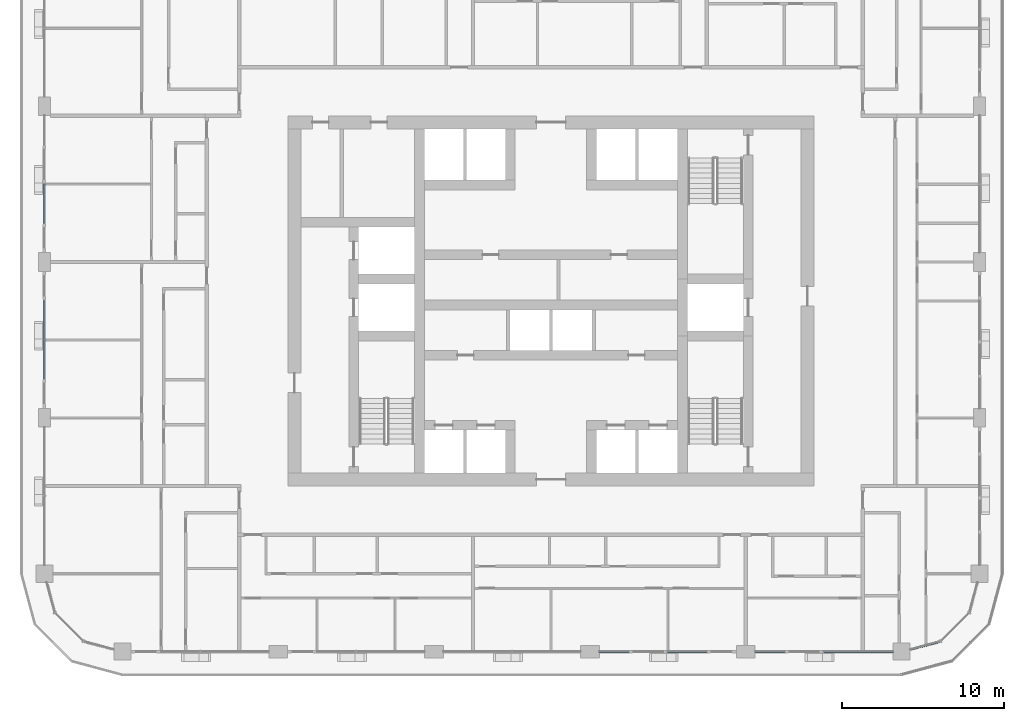
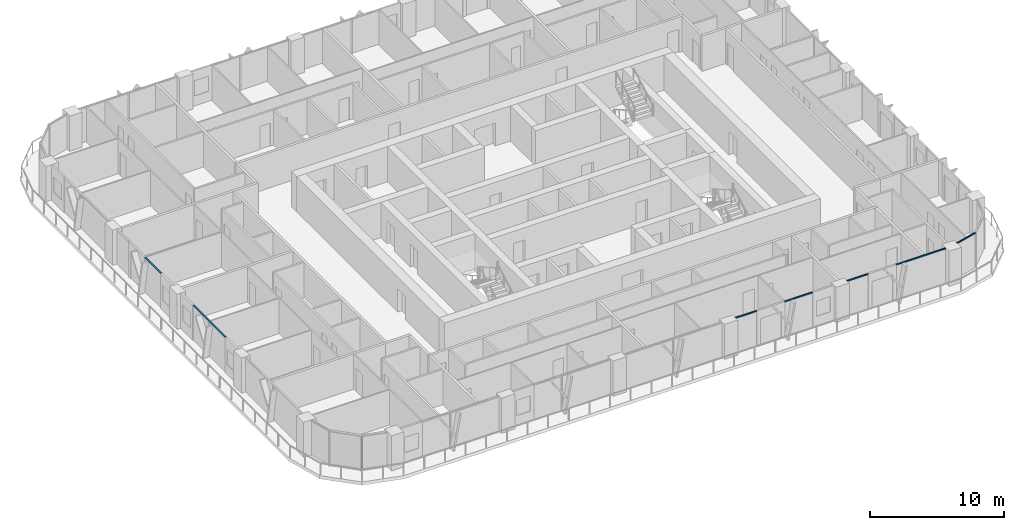
# One storey, part 3 of 22: 7 members, 5 elements without a shape of their own.
"""IFC4 building model written with IfcOpenShell, lengths in metres."""

from ifc_helpers import new_model, si_unit, direction, frame, origin, origin_2d, place, context, subcontext, project, spatial, rectangle, extrude, material, layer, layer_set, material_profile, profile_set, type_object, element, aggregate, save


model = new_model("IFC4")

# Units and contexts
model_context = context("Model", 3, precision=1e-05, world=origin(), true_north=direction((0.0, 1.0)))
body_context = subcontext(model_context, "Body", "Model", "MODEL_VIEW")
ifc_project = project(units=[si_unit("LENGTHUNIT", "METRE"), si_unit("AREAUNIT", "SQUARE_METRE"), si_unit("VOLUMEUNIT", "CUBIC_METRE"), si_unit("PLANEANGLEUNIT", "RADIAN"), si_unit("MASSUNIT", "GRAM", prefix="KILO")], contexts=[model_context])

# Site, building, storey
site_placement = place(None, origin())
site = spatial("IfcSite", under=ifc_project, at=site_placement, CompositionType="ELEMENT")
building_placement = place(site_placement, origin())
building = spatial("IfcBuilding", under=site, at=building_placement, Name="Madar Terraces", CompositionType="ELEMENT")
storey_placement = place(building_placement, frame((0.0, 0.0, 119.10009765625)))
storey = spatial("IfcBuildingStorey", under=building, at=storey_placement, Name="L30", CompositionType="ELEMENT", Elevation=119.10009765625)

# Curtain wall, members
ifc_material_1 = material(Name="Glass, ceramic frit dark grey, with black aluminium frame", Category="aluminium")
ifc_layer = layer(ifc_material_1, 0.199951171875)
ifc_layer_set = layer_set([ifc_layer], Name="Facade curtain wall, fritted glass")
curtain_wall_type = type_object("IfcCurtainWallType", Name="Facade curtain wall, fritted glass", PredefinedType="NOTDEFINED", material=ifc_layer_set)
curtain_wall_1_placement = place(storey_placement, origin())
curtain_wall_1 = element("IfcCurtainWall", 1, at=curtain_wall_1_placement, inside=storey, type_object=curtain_wall_type, Name="Outer skin curtain wall south bay 4", PredefinedType="NOTDEFINED")
ifc_material_2 = material(Name="Aluminium, black anodised", Category="aluminium")
ifc_material_profile = material_profile(ifc_material_2, rectangle(XDim=0.1201171875, YDim=0.06005859375, at=origin_2d()), Name="Facade transom 60x120")
ifc_profile_set = profile_set([ifc_material_profile], Name="Aluminium, black anodised")
member_type = type_object("IfcMemberType", Name="Facade transom 60x120", PredefinedType="USERDEFINED", material=ifc_profile_set)
member_1_placement = place(storey_placement, frame((34.175048828125, 4.800048828125, 3.169921875), z_axis=(1.0, 0.0, 0.0), x_axis=(0.0, 1.0, 0.0)))
member_1 = element("IfcMember", 2, at=member_1_placement, type_object=member_type, Name="Transom 1", ObjectType="TRANSOM", PredefinedType="USERDEFINED", context=body_context, shape_type="SweptSolid", body=[
    extrude(rectangle(XDim=0.1201171875, YDim=0.06005859375, at=origin_2d()), origin(), (0.0, 0.0, 1.0), 1.824951171875),
])
member_2_placement = place(storey_placement, frame((38.39990234375, 4.800048828125, 3.169921875), z_axis=(1.0, 0.0, 0.0), x_axis=(0.0, 1.0, 0.0)))
member_2 = element("IfcMember", 3, at=member_2_placement, type_object=member_type, Name="Transom 2", ObjectType="TRANSOM", PredefinedType="USERDEFINED", context=body_context, shape_type="SweptSolid", body=[
    extrude(rectangle(XDim=0.1201171875, YDim=0.06005859375, at=origin_2d()), origin(), (0.0, 0.0, 1.0), 2.400146484375),
])
aggregate(curtain_wall_1, [member_1, member_2])

curtain_wall_2_placement = place(storey_placement, origin())
curtain_wall_2 = element("IfcCurtainWall", 4, at=curtain_wall_2_placement, inside=storey, type_object=curtain_wall_type, Name="Outer skin curtain wall south bay 5", PredefinedType="NOTDEFINED")
member_3_placement = place(storey_placement, frame((43.77490234375, 4.800048828125, 3.169921875), z_axis=(1.0, 0.0, 0.0), x_axis=(0.0, 1.0, 0.0)))
member_3 = element("IfcMember", 5, at=member_3_placement, type_object=member_type, Name="Transom 1", ObjectType="TRANSOM", PredefinedType="USERDEFINED", context=body_context, shape_type="SweptSolid", body=[
    extrude(rectangle(XDim=0.1201171875, YDim=0.06005859375, at=origin_2d()), origin(), (0.0, 0.0, 1.0), 1.8251953125),
])
member_4_placement = place(storey_placement, frame((48.0, 4.800048828125, 3.169921875), z_axis=(1.0, 0.0, 0.0), x_axis=(0.0, 1.0, 0.0)))
member_4 = element("IfcMember", 6, at=member_4_placement, type_object=member_type, Name="Transom 2", ObjectType="TRANSOM", PredefinedType="USERDEFINED", context=body_context, shape_type="SweptSolid", body=[
    extrude(rectangle(XDim=0.1201171875, YDim=0.06005859375, at=origin_2d()), origin(), (0.0, 0.0, 1.0), 4.27490234375),
])
aggregate(curtain_wall_2, [member_3, member_4])

# Curtain wall, member
curtain_wall_3_placement = place(storey_placement, origin())
curtain_wall_3 = element("IfcCurtainWall", 7, at=curtain_wall_3_placement, inside=storey, type_object=curtain_wall_type, Name="Outer skin curtain wall west bay 2", PredefinedType="NOTDEFINED")
member_5_placement = place(storey_placement, frame((0.0, 33.60009765625, 3.169921875), z_axis=(0.0, -1.0, 0.0), x_axis=(1.0, 0.0, 0.0)))
member_5 = element("IfcMember", 8, at=member_5_placement, type_object=member_type, Name="Transom 2", ObjectType="TRANSOM", PredefinedType="USERDEFINED", context=body_context, shape_type="SweptSolid", body=[
    extrude(rectangle(XDim=0.1201171875, YDim=0.06005859375, at=origin_2d()), origin(), (0.0, 0.0, 1.0), 2.400146484375),
])
aggregate(curtain_wall_3, [member_5])

curtain_wall_4_placement = place(storey_placement, origin())
curtain_wall_4 = element("IfcCurtainWall", 9, at=curtain_wall_4_placement, inside=storey, type_object=curtain_wall_type, Name="Outer skin curtain wall west bay 3", PredefinedType="NOTDEFINED")
member_6_placement = place(storey_placement, frame((0.0, 26.39990234375, 3.169921875), z_axis=(0.0, -1.0, 0.0), x_axis=(1.0, 0.0, 0.0)))
member_6 = element("IfcMember", 10, at=member_6_placement, type_object=member_type, Name="Transom 1", ObjectType="TRANSOM", PredefinedType="USERDEFINED", context=body_context, shape_type="SweptSolid", body=[
    extrude(rectangle(XDim=0.1201171875, YDim=0.06005859375, at=origin_2d()), origin(), (0.0, 0.0, 1.0), 4.7998046875),
])
aggregate(curtain_wall_4, [member_6])

curtain_wall_5_placement = place(storey_placement, origin())
curtain_wall_5 = element("IfcCurtainWall", 11, at=curtain_wall_5_placement, inside=storey, type_object=curtain_wall_type, Name="Outer skin curtain wall south-east corner", PredefinedType="NOTDEFINED")
member_7_placement = place(storey_placement, frame((53.324951171875, 4.940673828125, 3.169921875), z_axis=(0.965933227928, 0.25879142023, 0.0), x_axis=(-0.25879142023, 0.965933227928, 0.0)))
member_7 = element("IfcMember", 12, at=member_7_placement, type_object=member_type, Name="Transom 1", ObjectType="TRANSOM", PredefinedType="USERDEFINED", context=body_context, shape_type="SweptSolid", body=[
    extrude(rectangle(XDim=0.1201171875, YDim=0.06005859375, at=origin_2d()), origin(), (0.0, 0.0, 1.0), 1.911376953125),
])
aggregate(curtain_wall_5, [member_7])

save(model, "model.ifc")
